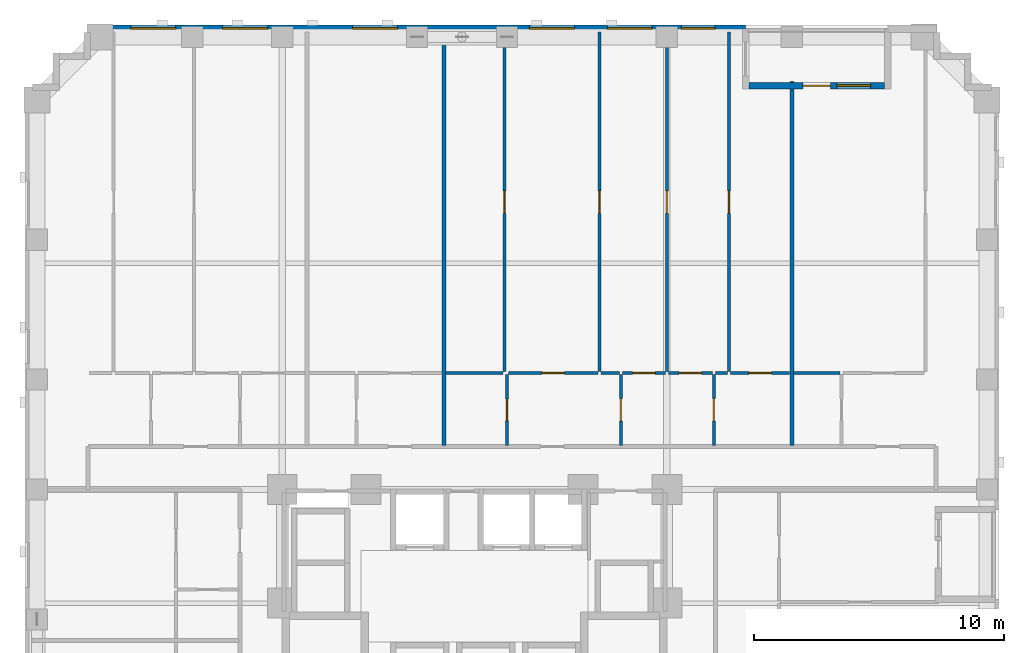
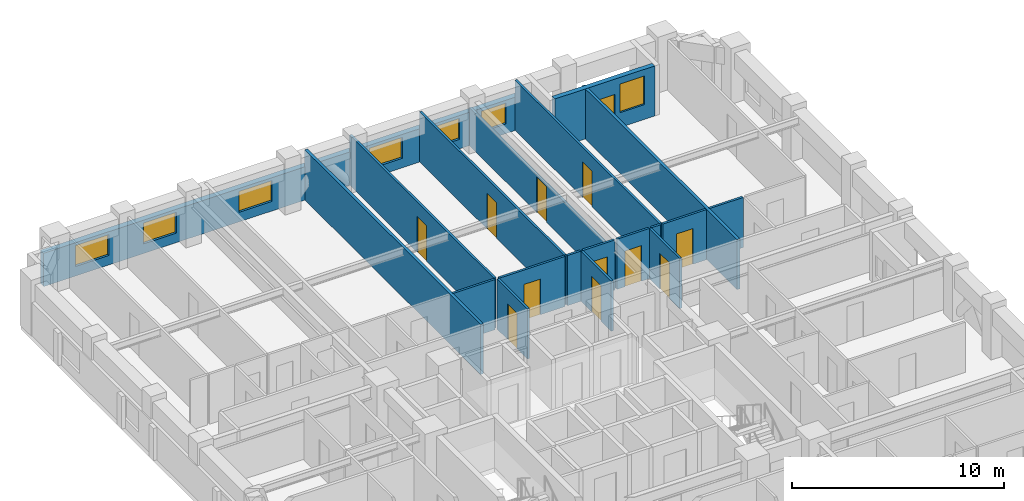
# One storey, part 8 of 14: 19 walls, 12 doors, 7 windows, 19 openings.
"""IFC4 building model written with IfcOpenShell, lengths in metres."""

import ifcopenshell
import ifcopenshell.guid

model = None  # the IFC model being written
_history = None  # IfcOwnerHistory: only IFC2X3 demands one
_inside = {}  # id of a spatial element -> (the spatial element, [elements in it])
_under = {}  # id of a project, library or spatial element -> (it, [spatial elements below it])
_declared = {}  # id of a project -> (the project, [libraries it declares])
_typed = {}  # id of a type object -> (the type object, [elements of that type])
_made_of = {}  # id of a material, layer set ... -> (it, [elements and type objects made of it])


def new_model(schema):
    """Start an empty IFC model of exactly this schema.

    Asked for "IFC4X3", IfcOpenShell would pick the latest addendum, in which some entities
    have other attributes; the version numbers below select the first issue.
    IFC2X3 requires an IfcOwnerHistory on every rooted entity: one is made here for all.
    """
    global model, _history
    if schema == "IFC4X3":
        model = ifcopenshell.file(schema_version=(4, 3, 0, 0))
    else:
        model = ifcopenshell.file(schema=schema)
    _inside.clear()
    _under.clear()
    _declared.clear()
    _typed.clear()
    _made_of.clear()
    _history = None
    if model.schema == "IFC2X3":
        org = make("IfcOrganization", Name="unknown")
        user = make(
            "IfcPersonAndOrganization",
            ThePerson=make("IfcPerson", FamilyName="unknown"),
            TheOrganization=org,
        )
        app = make(
            "IfcApplication",
            ApplicationDeveloper=org,
            Version="unknown",
            ApplicationFullName="unknown",
            ApplicationIdentifier="unknown",
        )
        _history = make(
            "IfcOwnerHistory",
            OwningUser=user,
            OwningApplication=app,
            ChangeAction="ADDED",
            CreationDate=0,
        )
    return model


def make(cls, **values):
    """One entity of the class cls with the attributes given. An attribute that is None is left unset."""
    return model.create_entity(
        cls, **{name: value for name, value in values.items() if value is not None}
    )


def rooted(cls, **values):
    """An entity with a GlobalId (a new one), such as an element, a storey or a relation."""
    return make(cls, GlobalId=ifcopenshell.guid.new(), OwnerHistory=_history, **values)


def si_unit(unit_type, name, prefix=None):
    """IfcSIUnit, for example si_unit("LENGTHUNIT", "METRE", prefix="MILLI")."""
    return make("IfcSIUnit", UnitType=unit_type, Prefix=prefix, Name=name)


def derived_unit(unit_type, elements):
    """IfcDerivedUnit: a product of units, each with its exponent."""
    return make(
        "IfcDerivedUnit",
        Elements=[
            make("IfcDerivedUnitElement", Unit=unit, Exponent=power)
            for unit, power in elements
        ],
        UnitType=unit_type,
    )


def assignment(units):
    """IfcUnitAssignment: the units of a project."""
    return None if units is None else make("IfcUnitAssignment", Units=units)


def point(xyz):
    """IfcCartesianPoint."""
    return None if xyz is None else make("IfcCartesianPoint", Coordinates=xyz)


def direction(xyz):
    """IfcDirection."""
    return None if xyz is None else make("IfcDirection", DirectionRatios=xyz)


def frame(location, z_axis=None, x_axis=None):
    """IfcAxis2Placement3D, a coordinate frame: its origin and axes. An axis left out is left unset."""
    return make(
        "IfcAxis2Placement3D",
        Location=point(location),
        Axis=direction(z_axis),
        RefDirection=direction(x_axis),
    )


def frame_2d(location, x_axis=None):
    """IfcAxis2Placement2D, a coordinate frame in the plane: its origin and x axis."""
    return make(
        "IfcAxis2Placement2D", Location=point(location), RefDirection=direction(x_axis)
    )


def origin():
    """The frame at (0, 0, 0) with its axes left unset."""
    return frame((0.0, 0.0, 0.0))


def place(relative_to, where):
    """IfcLocalPlacement: puts the frame where relative to a parent placement (None: the world)."""
    return make(
        "IfcLocalPlacement", PlacementRelTo=relative_to, RelativePlacement=where
    )


def context(
    kind, dimensions, precision=None, world=None, true_north=None, identifier=None
):
    """IfcGeometricRepresentationContext, for example the 3D "Model" context."""
    return make(
        "IfcGeometricRepresentationContext",
        ContextIdentifier=identifier,
        ContextType=kind,
        CoordinateSpaceDimension=dimensions,
        Precision=precision,
        WorldCoordinateSystem=world,
        TrueNorth=true_north,
    )


def subcontext(parent, identifier, kind, view, scale=None):
    """IfcGeometricRepresentationSubContext, for example "Body" below "Model"."""
    return make(
        "IfcGeometricRepresentationSubContext",
        ContextIdentifier=identifier,
        ContextType=kind,
        ParentContext=parent,
        TargetScale=scale,
        TargetView=view,
    )


def project(units=None, contexts=None):
    """IfcProject with its units and contexts."""
    return rooted(
        "IfcProject",
        Name="project",
        RepresentationContexts=contexts,
        UnitsInContext=assignment(units),
    )


def spatial(cls, under=None, at=None, **own):
    """A site, building, storey or space (cls), placed at a placement, below another one or the project."""
    s = rooted(cls, ObjectPlacement=at, **own)
    if under is not None:
        _under.setdefault(under.id(), (under, []))[1].append(s)
    return s


def profile(cls, at=None, kind="AREA", **sizes):
    """A parametric profile (cls). Its sizes go by their IFC names, for example OverallWidth=200.0."""
    return make(cls, ProfileType=kind, Position=at, **sizes)


def rectangle(**sizes):
    """IfcRectangleProfileDef."""
    return profile("IfcRectangleProfileDef", **sizes)


def extrude(swept, where, along, depth):
    """IfcExtrudedAreaSolid: the profile swept, set in the frame where, extruded along a direction by depth."""
    return make(
        "IfcExtrudedAreaSolid",
        SweptArea=swept,
        Position=where,
        ExtrudedDirection=direction(along),
        Depth=depth,
    )


def shape(context_of_items, identifier, shape_type, items):
    """IfcShapeRepresentation: the items that make up one representation, for example the "Body"."""
    return make(
        "IfcShapeRepresentation",
        ContextOfItems=context_of_items,
        RepresentationIdentifier=identifier,
        RepresentationType=shape_type,
        Items=items,
    )


def material(Name=None, Category=None):
    """IfcMaterial."""
    return make("IfcMaterial", Name=Name, Category=Category)


def layer(
    of_material, thickness, ventilated=None, Name=None, Category=None, Priority=None
):
    """IfcMaterialLayer: one layer of a wall or slab, of a material (None: an air gap)."""
    return make(
        "IfcMaterialLayer",
        Material=of_material,
        LayerThickness=thickness,
        IsVentilated=ventilated,
        Name=Name,
        Category=Category,
        Priority=Priority,
    )


def layer_set(layers, Name=None):
    """IfcMaterialLayerSet."""
    return make("IfcMaterialLayerSet", MaterialLayers=layers, LayerSetName=Name)


def made_of(thing, what):
    """Note that an element or type object is made of a material, layer set ...; save() writes the relation."""
    if what is not None:
        _made_of.setdefault(what.id(), (what, []))[1].append(thing)
    return thing


def type_object(cls, material=None, **own):
    """A type object (cls), such as IfcWallType, which elements share."""
    return made_of(rooted(cls, **own), material)


def element(
    cls,
    number,
    at=None,
    inside=None,
    cuts=None,
    type_object=None,
    material=None,
    context=None,
    identifier="Body",
    shape_type=None,
    held_by="IfcProductDefinitionShape",
    body=None,
    shapes=None,
    **own,
):
    """One element of the class cls, such as IfcWall. Its Tag is "e" and its number.

    at: its placement. inside: the storey or other place that contains it. cuts: it is an
    opening in that element (IfcRelVoidsElement). A single representation is given by context,
    identifier, shape_type and body (its items); several are given by shapes. held_by: the class
    of the entity that holds the representations. save() writes the other relations.
    """
    e = rooted(cls, Tag="e%d" % number, ObjectPlacement=at, **own)
    if body is not None:
        shapes = [shape(context, identifier, shape_type, body)]
    if shapes is not None:
        e.Representation = make(held_by, Representations=shapes)
    if inside is not None:
        _inside.setdefault(inside.id(), (inside, []))[1].append(e)
    if cuts is not None:
        rooted(
            "IfcRelVoidsElement", RelatingBuildingElement=cuts, RelatedOpeningElement=e
        )
    if type_object is not None:
        _typed.setdefault(type_object.id(), (type_object, []))[1].append(e)
    return made_of(e, material)


def fill(opening, filler):
    """IfcRelFillsElement: the door or window that sits in an opening."""
    return rooted(
        "IfcRelFillsElement",
        RelatingOpeningElement=opening,
        RelatedBuildingElement=filler,
    )


def aggregate(whole, parts):
    """IfcRelAggregates: a whole, such as a stair, and the parts it consists of."""
    return rooted("IfcRelAggregates", RelatingObject=whole, RelatedObjects=parts)


def save(model, path):
    """Write the relations noted so far, then the file.

    IfcRelAggregates (storeys below a building ...), IfcRelContainedInSpatialStructure (elements
    in a storey), IfcRelDefinesByType, IfcRelAssociatesMaterial and IfcRelDeclares: one each for
    every whole, place, type object, material and project.
    """
    for whole, parts in _under.values():
        aggregate(whole, parts)
    for where, things in _inside.values():
        rooted(
            "IfcRelContainedInSpatialStructure",
            RelatedElements=things,
            RelatingStructure=where,
        )
    for kind, things in _typed.values():
        rooted("IfcRelDefinesByType", RelatedObjects=things, RelatingType=kind)
    for what, things in _made_of.values():
        rooted("IfcRelAssociatesMaterial", RelatedObjects=things, RelatingMaterial=what)
    for by, libraries in _declared.values():
        rooted("IfcRelDeclares", RelatingContext=by, RelatedDefinitions=libraries)
    model.write(path)


model = new_model("IFC4")

# Units and contexts
model_context = context("Model", 3, precision=1e-05, world=origin(), true_north=direction((0.0, 1.0)))
body_context = subcontext(model_context, "Body", "Model", "MODEL_VIEW")
ifc_project = project(units=[si_unit("LENGTHUNIT", "METRE"), si_unit("AREAUNIT", "SQUARE_METRE"), si_unit("VOLUMEUNIT", "CUBIC_METRE"), si_unit("PLANEANGLEUNIT", "RADIAN"), si_unit("MASSUNIT", "GRAM", prefix="KILO"), derived_unit("THERMALTRANSMITTANCEUNIT", [(si_unit("MASSUNIT", "GRAM", prefix="KILO"), 1), (si_unit("TIMEUNIT", "SECOND"), -3), (si_unit("THERMODYNAMICTEMPERATUREUNIT", "KELVIN"), -1)])], contexts=[model_context])

# Site, building, storey
site_placement = place(None, origin())
site = spatial("IfcSite", under=ifc_project, at=site_placement, CompositionType="ELEMENT")
building_placement = place(site_placement, origin())
building = spatial("IfcBuilding", under=site, at=building_placement, Name="Korrvale Station Residences", CompositionType="ELEMENT")
storey_placement = place(building_placement, frame((0.0, 0.0, 67.39990234375)))
storey = spatial("IfcBuildingStorey", under=building, at=storey_placement, Name="L18", CompositionType="ELEMENT", Elevation=67.39990234375)

# Wall, openings, door, window
ifc_material_1 = material(Name="Precast concrete C45/55", Category="concrete")
ifc_layer_1 = layer(ifc_material_1, 0.260009765625, Name="Precast concrete C45/55")
ifc_layer_set_1 = layer_set([ifc_layer_1], Name="Precast concrete C45/55")
wall_type_1 = type_object("IfcWallType", Name="WAL-EXT-LOG260", PredefinedType="SOLIDWALL", material=ifc_layer_set_1)
wall_1_placement = place(storey_placement, frame((36.48388671875, 45.169921875, 0.0), z_axis=(0.0, 0.0, 1.0), x_axis=(1.0, 0.0, 0.0)))
wall_1 = element("IfcWall", 1, at=wall_1_placement, inside=storey, type_object=wall_type_1, Name="L18 Recessed Loggia Wall BAL-L18-N1-B", PredefinedType="SOLIDWALL", context=body_context, shape_type="SweptSolid", body=[
    extrude(rectangle(XDim=5.43212890625, YDim=0.260009765625, at=frame_2d((2.716064453125, 0.0))), origin(), (0.0, 0.0, 1.0), 2.880126953125),
])
opening_1_placement = place(wall_1_placement, frame((2.166015625, 0.0, 0.0)))
opening_1 = element("IfcOpeningElement", 2, at=opening_1_placement, cuts=wall_1, Name="Opening BD-01", PredefinedType="OPENING", context=body_context, shape_type="SweptSolid", body=[
    extrude(rectangle(XDim=1.10009765625, YDim=2.0, at=frame_2d((0.550048828125, 1.0))), frame((0.0, 0.14013671875, 0.0), z_axis=(0.0, -1.0, 0.0), x_axis=(1.0, 0.0, 0.0)), (0.0, 0.0, 1.0), 0.280029296875),
])
opening_2_placement = place(wall_1_placement, frame((3.52587890625, 0.0, 0.85009765625)))
opening_2 = element("IfcOpeningElement", 3, at=opening_2_placement, cuts=wall_1, Name="Opening W-06", PredefinedType="OPENING", context=body_context, shape_type="SweptSolid", body=[
    extrude(rectangle(XDim=1.35009765625, YDim=1.64990234375, at=frame_2d((0.675048828125, 0.824951171875))), frame((0.0, 0.14013671875, 0.0), z_axis=(0.0, -1.0, 0.0), x_axis=(1.0, 0.0, 0.0)), (0.0, 0.0, 1.0), 0.280029296875),
])
ifc_material_2 = material(Name="Exterior thermally broken aluminium glazed balcony door", Category="aluminium")
door_type_1 = type_object("IfcDoorType", Name="DR-EXT-BAL", OperationType="NOTDEFINED", PredefinedType="DOOR", material=ifc_material_2)
door_1_placement = place(opening_1_placement, origin())
door_1 = element("IfcDoor", 4, at=door_1_placement, inside=storey, type_object=door_type_1, Name="L18 Loggia Balcony Door BAL-L18-N1", OperationType="SINGLE_SWING_LEFT", OverallHeight=2.0, OverallWidth=1.10009765625, PredefinedType="DOOR", context=body_context, shape_type="SweptSolid", body=[
    extrude(rectangle(XDim=1.10009765625, YDim=2.0, at=frame_2d((0.550048828125, 1.0))), frame((0.0, 0.02490234375, 0.0), z_axis=(0.0, -1.0, 0.0), x_axis=(1.0, 0.0, 0.0)), (0.0, 0.0, 1.0), 0.050048828125),
])
fill(opening_1, door_1)
ifc_material_3 = material(Name="Thermally broken aluminium frame with triple low-e glazing", Category="aluminium")
window_type_1 = type_object("IfcWindowType", Name="WIN-W06", PartitioningType="SINGLE_PANEL", PredefinedType="WINDOW", material=ifc_material_3)
window_1_placement = place(opening_2_placement, origin())
window_1 = element("IfcWindow", 5, at=window_1_placement, inside=storey, type_object=window_type_1, Name="L18 Punched Window 22", OverallHeight=1.64990234375, OverallWidth=1.35009765625, PartitioningType="SINGLE_PANEL", PredefinedType="WINDOW", context=body_context, shape_type="SweptSolid", body=[
    extrude(rectangle(XDim=1.35009765625, YDim=1.64990234375, at=frame_2d((0.675048828125, 0.824951171875))), frame((0.0, 0.030029296875, 0.0), z_axis=(0.0, -1.0, 0.0), x_axis=(1.0, 0.0, 0.0)), (0.0, 0.0, 1.0), 0.06005859375),
])
fill(opening_2, window_1)

# Wall, openings, windows
ifc_layer_2 = layer(ifc_material_1, 0.300048828125, Name="Precast concrete C45/55")
ifc_layer_set_2 = layer_set([ifc_layer_2], Name="Precast concrete C45/55")
wall_type_2 = type_object("IfcWallType", Name="WAL-EXT-PC300", PredefinedType="SOLIDWALL", material=ifc_layer_set_2)
wall_2_placement = place(storey_placement, frame((10.0, 47.449951171875, 0.0), z_axis=(0.0, 0.0, 1.0), x_axis=(1.0, 0.0, 0.0)))
wall_2 = element("IfcWall", 6, at=wall_2_placement, inside=storey, type_object=wall_type_2, Name="L18 North Exterior Precast Wall 1", PredefinedType="SOLIDWALL", context=body_context, shape_type="SweptSolid", body=[
    extrude(rectangle(XDim=26.35009765625, YDim=0.300048828125, at=frame_2d((13.175048828125, 0.0))), origin(), (0.0, 0.0, 1.0), 1.9150390625),
])
opening_3_placement = place(wall_2_placement, frame((1.735107421875, 0.0, 0.550048828125)))
opening_3 = element("IfcOpeningElement", 7, at=opening_3_placement, cuts=wall_2, Name="Opening W-09", PredefinedType="OPENING", context=body_context, shape_type="SweptSolid", body=[
    extrude(rectangle(XDim=1.800048828125, YDim=1.199951171875, at=frame_2d((0.89990234375, 0.60009765625))), frame((0.0, 0.16015625, 0.0), z_axis=(0.0, -1.0, 0.0), x_axis=(1.0, 0.0, 0.0)), (0.0, 0.0, 1.0), 0.320068359375),
])
opening_4_placement = place(wall_2_placement, frame((5.4150390625, 0.0, 0.550048828125)))
opening_4 = element("IfcOpeningElement", 8, at=opening_4_placement, cuts=wall_2, Name="Opening W-09", PredefinedType="OPENING", context=body_context, shape_type="SweptSolid", body=[
    extrude(rectangle(XDim=1.800048828125, YDim=1.199951171875, at=frame_2d((0.89990234375, 0.60009765625))), frame((0.0, 0.16015625, 0.0), z_axis=(0.0, -1.0, 0.0), x_axis=(1.0, 0.0, 0.0)), (0.0, 0.0, 1.0), 0.320068359375),
])
opening_5_placement = place(wall_2_placement, frame((10.617919921875, 0.0, 0.550048828125)))
opening_5 = element("IfcOpeningElement", 9, at=opening_5_placement, cuts=wall_2, Name="Opening W-09", PredefinedType="OPENING", context=body_context, shape_type="SweptSolid", body=[
    extrude(rectangle(XDim=1.800048828125, YDim=1.199951171875, at=frame_2d((0.89990234375, 0.60009765625))), frame((0.0, 0.16015625, 0.0), z_axis=(0.0, -1.0, 0.0), x_axis=(1.0, 0.0, 0.0)), (0.0, 0.0, 1.0), 0.320068359375),
])
opening_6_placement = place(wall_2_placement, frame((17.696044921875, 0.0, 0.550048828125)))
opening_6 = element("IfcOpeningElement", 10, at=opening_6_placement, cuts=wall_2, Name="Opening W-09", PredefinedType="OPENING", context=body_context, shape_type="SweptSolid", body=[
    extrude(rectangle(XDim=1.800048828125, YDim=1.199951171875, at=frame_2d((0.89990234375, 0.60009765625))), frame((0.0, 0.16015625, 0.0), z_axis=(0.0, -1.0, 0.0), x_axis=(1.0, 0.0, 0.0)), (0.0, 0.0, 1.0), 0.320068359375),
])
opening_7_placement = place(wall_2_placement, frame((20.81494140625, 0.0, 0.550048828125)))
opening_7 = element("IfcOpeningElement", 11, at=opening_7_placement, cuts=wall_2, Name="Opening W-09", PredefinedType="OPENING", context=body_context, shape_type="SweptSolid", body=[
    extrude(rectangle(XDim=1.800048828125, YDim=1.199951171875, at=frame_2d((0.89990234375, 0.60009765625))), frame((0.0, 0.16015625, 0.0), z_axis=(0.0, -1.0, 0.0), x_axis=(1.0, 0.0, 0.0)), (0.0, 0.0, 1.0), 0.320068359375),
])
opening_8_placement = place(wall_2_placement, frame((23.784912109375, 0.0, 0.550048828125)))
opening_8 = element("IfcOpeningElement", 12, at=opening_8_placement, cuts=wall_2, Name="Opening W-10", PredefinedType="OPENING", context=body_context, shape_type="SweptSolid", body=[
    extrude(rectangle(XDim=1.35009765625, YDim=1.199951171875, at=frame_2d((0.675048828125, 0.60009765625))), frame((0.0, 0.16015625, 0.0), z_axis=(0.0, -1.0, 0.0), x_axis=(1.0, 0.0, 0.0)), (0.0, 0.0, 1.0), 0.320068359375),
])
window_type_2 = type_object("IfcWindowType", Name="WIN-W09", PartitioningType="DOUBLE_PANEL_VERTICAL", PredefinedType="WINDOW", material=ifc_material_3)
window_2_placement = place(opening_3_placement, origin())
window_2 = element("IfcWindow", 13, at=window_2_placement, inside=storey, type_object=window_type_2, Name="L18 Punched Window 15", OverallHeight=1.199951171875, OverallWidth=1.800048828125, PartitioningType="DOUBLE_PANEL_VERTICAL", PredefinedType="WINDOW", context=body_context, shape_type="SweptSolid", body=[
    extrude(rectangle(XDim=1.800048828125, YDim=1.199951171875, at=frame_2d((0.89990234375, 0.60009765625))), frame((0.0, 0.030029296875, 0.0), z_axis=(0.0, -1.0, 0.0), x_axis=(1.0, 0.0, 0.0)), (0.0, 0.0, 1.0), 0.06005859375),
])
fill(opening_3, window_2)
window_3_placement = place(opening_4_placement, origin())
window_3 = element("IfcWindow", 14, at=window_3_placement, inside=storey, type_object=window_type_2, Name="L18 Punched Window 16", OverallHeight=1.199951171875, OverallWidth=1.800048828125, PartitioningType="DOUBLE_PANEL_VERTICAL", PredefinedType="WINDOW", context=body_context, shape_type="SweptSolid", body=[
    extrude(rectangle(XDim=1.800048828125, YDim=1.199951171875, at=frame_2d((0.89990234375, 0.60009765625))), frame((0.0, 0.030029296875, 0.0), z_axis=(0.0, -1.0, 0.0), x_axis=(1.0, 0.0, 0.0)), (0.0, 0.0, 1.0), 0.06005859375),
])
fill(opening_4, window_3)
window_4_placement = place(opening_5_placement, origin())
window_4 = element("IfcWindow", 15, at=window_4_placement, inside=storey, type_object=window_type_2, Name="L18 Punched Window 17", OverallHeight=1.199951171875, OverallWidth=1.800048828125, PartitioningType="DOUBLE_PANEL_VERTICAL", PredefinedType="WINDOW", context=body_context, shape_type="SweptSolid", body=[
    extrude(rectangle(XDim=1.800048828125, YDim=1.199951171875, at=frame_2d((0.89990234375, 0.60009765625))), frame((0.0, 0.030029296875, 0.0), z_axis=(0.0, -1.0, 0.0), x_axis=(1.0, 0.0, 0.0)), (0.0, 0.0, 1.0), 0.06005859375),
])
fill(opening_5, window_4)
window_5_placement = place(opening_6_placement, origin())
window_5 = element("IfcWindow", 16, at=window_5_placement, inside=storey, type_object=window_type_2, Name="L18 Punched Window 18", OverallHeight=1.199951171875, OverallWidth=1.800048828125, PartitioningType="DOUBLE_PANEL_VERTICAL", PredefinedType="WINDOW", context=body_context, shape_type="SweptSolid", body=[
    extrude(rectangle(XDim=1.800048828125, YDim=1.199951171875, at=frame_2d((0.89990234375, 0.60009765625))), frame((0.0, 0.030029296875, 0.0), z_axis=(0.0, -1.0, 0.0), x_axis=(1.0, 0.0, 0.0)), (0.0, 0.0, 1.0), 0.06005859375),
])
fill(opening_6, window_5)
window_6_placement = place(opening_7_placement, origin())
window_6 = element("IfcWindow", 17, at=window_6_placement, inside=storey, type_object=window_type_2, Name="L18 Punched Window 19", OverallHeight=1.199951171875, OverallWidth=1.800048828125, PartitioningType="DOUBLE_PANEL_VERTICAL", PredefinedType="WINDOW", context=body_context, shape_type="SweptSolid", body=[
    extrude(rectangle(XDim=1.800048828125, YDim=1.199951171875, at=frame_2d((0.89990234375, 0.60009765625))), frame((0.0, 0.030029296875, 0.0), z_axis=(0.0, -1.0, 0.0), x_axis=(1.0, 0.0, 0.0)), (0.0, 0.0, 1.0), 0.06005859375),
])
fill(opening_7, window_6)
window_type_3 = type_object("IfcWindowType", Name="WIN-W10", PartitioningType="SINGLE_PANEL", PredefinedType="WINDOW", material=ifc_material_3)
window_7_placement = place(opening_8_placement, origin())
window_7 = element("IfcWindow", 18, at=window_7_placement, inside=storey, type_object=window_type_3, Name="L18 Punched Window 20", OverallHeight=1.199951171875, OverallWidth=1.35009765625, PartitioningType="SINGLE_PANEL", PredefinedType="WINDOW", context=body_context, shape_type="SweptSolid", body=[
    extrude(rectangle(XDim=1.35009765625, YDim=1.199951171875, at=frame_2d((0.675048828125, 0.60009765625))), frame((0.0, 0.030029296875, 0.0), z_axis=(0.0, -1.0, 0.0), x_axis=(1.0, 0.0, 0.0)), (0.0, 0.0, 1.0), 0.06005859375),
])
fill(opening_8, window_7)

# Wall, opening, door
ifc_material_4 = material(Name="Acoustic steel-stud gypsum board partition", Category="steel")
ifc_layer_3 = layer(ifc_material_4, 0.1201171875, Name="Acoustic steel-stud gypsum board partition")
ifc_layer_set_3 = layer_set([ifc_layer_3], Name="Acoustic steel-stud gypsum board partition")
wall_type_3 = type_object("IfcWallType", Name="WAL-PART-125", PredefinedType="PARTITIONING", material=ifc_layer_set_3)
wall_3_placement = place(storey_placement, frame((26.799072265625, 30.760009765625, 0.0), z_axis=(0.0, 0.0, 1.0), x_axis=(0.0, 1.0, 0.0)))
wall_3 = element("IfcWall", 19, at=wall_3_placement, inside=storey, type_object=wall_type_3, Name="L18 Suite Partition U05-V01", PredefinedType="PARTITIONING", context=body_context, shape_type="SweptSolid", body=[
    extrude(rectangle(XDim=2.85009765625, YDim=0.1201171875, at=frame_2d((1.425048828125, 0.0))), origin(), (0.0, 0.0, 1.0), 2.880126953125),
])
opening_9_placement = place(wall_3_placement, frame((0.9951171875, 0.0, 0.0)))
opening_9 = element("IfcOpeningElement", 20, at=opening_9_placement, cuts=wall_3, Name="Opening DB-860", PredefinedType="OPENING", context=body_context, shape_type="SweptSolid", body=[
    extrude(rectangle(XDim=0.860107421875, YDim=2.050048828125, at=frame_2d((0.43017578125, 1.02490234375))), frame((0.0, 0.070068359375, 0.0), z_axis=(0.0, -1.0, 0.0), x_axis=(1.0, 0.0, 0.0)), (0.0, 0.0, 1.0), 0.14013671875),
])
ifc_material_5 = material(Name="Moisture-resistant solid-core bathroom door", Category="timber")
door_type_2 = type_object("IfcDoorType", Name="DR-BATH-860", OperationType="NOTDEFINED", PredefinedType="DOOR", material=ifc_material_5)
door_2_placement = place(opening_9_placement, origin())
door_2 = element("IfcDoor", 21, at=door_2_placement, inside=storey, type_object=door_type_2, Name="L18 Apartment 3BR L18-U05 Bathroom Door", OperationType="SINGLE_SWING_RIGHT", OverallHeight=2.050048828125, OverallWidth=0.860107421875, PredefinedType="DOOR", context=body_context, shape_type="SweptSolid", body=[
    extrude(rectangle(XDim=0.860107421875, YDim=2.050048828125, at=frame_2d((0.43017578125, 1.02490234375))), frame((0.0, 0.02490234375, 0.0), z_axis=(0.0, -1.0, 0.0), x_axis=(1.0, 0.0, 0.0)), (0.0, 0.0, 1.0), 0.050048828125),
])
fill(opening_9, door_2)

# Wall
wall_4_placement = place(storey_placement, frame((24.339111328125, 33.669921875, 0.0), z_axis=(0.0, 0.0, 1.0), x_axis=(1.0, 0.0, 0.0)))
element("IfcWall", 22, at=wall_4_placement, inside=storey, type_object=wall_type_3, Name="L18 Suite Partition U05-H04", PredefinedType="PARTITIONING", context=body_context, shape_type="SweptSolid", body=[
    extrude(rectangle(XDim=2.2998046875, YDim=0.1201171875, at=frame_2d((1.14990234375, 0.0))), origin(), (0.0, 0.0, 1.0), 2.880126953125),
])

# Wall, opening, door
wall_5_placement = place(storey_placement, frame((31.35888671875, 30.760009765625, 0.0), z_axis=(0.0, 0.0, 1.0), x_axis=(0.0, 1.0, 0.0)))
wall_5 = element("IfcWall", 23, at=wall_5_placement, inside=storey, type_object=wall_type_3, Name="L18 Suite Partition U05-V12", PredefinedType="PARTITIONING", context=body_context, shape_type="SweptSolid", body=[
    extrude(rectangle(XDim=2.85009765625, YDim=0.1201171875, at=frame_2d((1.425048828125, 0.0))), origin(), (0.0, 0.0, 1.0), 2.880126953125),
])
opening_10_placement = place(wall_5_placement, frame((0.97509765625, 0.0, 0.0)))
opening_10 = element("IfcOpeningElement", 24, at=opening_10_placement, cuts=wall_5, Name="Opening DI-900", PredefinedType="OPENING", context=body_context, shape_type="SweptSolid", body=[
    extrude(rectangle(XDim=0.89990234375, YDim=2.050048828125, at=frame_2d((0.449951171875, 1.02490234375))), frame((0.0, 0.070068359375, 0.0), z_axis=(0.0, -1.0, 0.0), x_axis=(1.0, 0.0, 0.0)), (0.0, 0.0, 1.0), 0.14013671875),
])
ifc_material_6 = material(Name="Painted solid-core timber interior room door", Category="wood")
door_type_3 = type_object("IfcDoorType", Name="DR-INT-900", OperationType="NOTDEFINED", PredefinedType="DOOR", material=ifc_material_6)
door_3_placement = place(opening_10_placement, origin())
door_3 = element("IfcDoor", 25, at=door_3_placement, inside=storey, type_object=door_type_3, Name="L18 Apartment 3BR L18-U05 Kitchen Door", OperationType="SINGLE_SWING_LEFT", OverallHeight=2.050048828125, OverallWidth=0.89990234375, PredefinedType="DOOR", context=body_context, shape_type="SweptSolid", body=[
    extrude(rectangle(XDim=0.89990234375, YDim=2.050048828125, at=frame_2d((0.449951171875, 1.02490234375))), frame((0.0, 0.02490234375, 0.0), z_axis=(0.0, -1.0, 0.0), x_axis=(1.0, 0.0, 0.0)), (0.0, 0.0, 1.0), 0.050048828125),
])
fill(opening_10, door_3)

wall_6_placement = place(storey_placement, frame((26.85888671875, 33.669921875, 0.0), z_axis=(0.0, 0.0, 1.0), x_axis=(1.0, 0.0, 0.0)))
wall_6 = element("IfcWall", 26, at=wall_6_placement, inside=storey, type_object=wall_type_3, Name="L18 Suite Partition U05-H15", PredefinedType="PARTITIONING", context=body_context, shape_type="SweptSolid", body=[
    extrude(rectangle(XDim=3.580078125, YDim=0.1201171875, at=frame_2d((1.7900390625, 0.0))), origin(), (0.0, 0.0, 1.0), 2.880126953125),
])
opening_11_placement = place(wall_6_placement, frame((1.340087890625, 0.0, 0.0)))
opening_11 = element("IfcOpeningElement", 27, at=opening_11_placement, cuts=wall_6, Name="Opening DI-900", PredefinedType="OPENING", context=body_context, shape_type="SweptSolid", body=[
    extrude(rectangle(XDim=0.89990234375, YDim=2.050048828125, at=frame_2d((0.449951171875, 1.02490234375))), frame((0.0, 0.070068359375, 0.0), z_axis=(0.0, -1.0, 0.0), x_axis=(1.0, 0.0, 0.0)), (0.0, 0.0, 1.0), 0.14013671875),
])
door_4_placement = place(opening_11_placement, origin())
door_4 = element("IfcDoor", 28, at=door_4_placement, inside=storey, type_object=door_type_3, Name="L18 Apartment 3BR L18-U05 Kitchen Door", OperationType="SINGLE_SWING_RIGHT", OverallHeight=2.050048828125, OverallWidth=0.89990234375, PredefinedType="DOOR", context=body_context, shape_type="SweptSolid", body=[
    extrude(rectangle(XDim=0.89990234375, YDim=2.050048828125, at=frame_2d((0.449951171875, 1.02490234375))), frame((0.0, 0.02490234375, 0.0), z_axis=(0.0, -1.0, 0.0), x_axis=(1.0, 0.0, 0.0)), (0.0, 0.0, 1.0), 0.050048828125),
])
fill(opening_11, door_4)

# Wall
wall_7_placement = place(storey_placement, frame((30.55908203125, 33.669921875, 0.0), z_axis=(0.0, 0.0, 1.0), x_axis=(1.0, 0.0, 0.0)))
element("IfcWall", 29, at=wall_7_placement, inside=storey, type_object=wall_type_3, Name="L18 Suite Partition U05-H16", PredefinedType="PARTITIONING", context=body_context, shape_type="SweptSolid", body=[
    extrude(rectangle(XDim=0.739990234375, YDim=0.1201171875, at=frame_2d((0.3701171875, 0.0))), origin(), (0.0, 0.0, 1.0), 2.880126953125),
])

# Wall, opening, door
wall_8_placement = place(storey_placement, frame((35.0791015625, 30.760009765625, 0.0), z_axis=(0.0, 0.0, 1.0), x_axis=(0.0, 1.0, 0.0)))
wall_8 = element("IfcWall", 30, at=wall_8_placement, inside=storey, type_object=wall_type_3, Name="L18 Suite Partition U05-V23", PredefinedType="PARTITIONING", context=body_context, shape_type="SweptSolid", body=[
    extrude(rectangle(XDim=2.85009765625, YDim=0.1201171875, at=frame_2d((1.425048828125, 0.0))), origin(), (0.0, 0.0, 1.0), 2.880126953125),
])
opening_12_placement = place(wall_8_placement, frame((0.97509765625, 0.0, 0.0)))
opening_12 = element("IfcOpeningElement", 31, at=opening_12_placement, cuts=wall_8, Name="Opening DI-900", PredefinedType="OPENING", context=body_context, shape_type="SweptSolid", body=[
    extrude(rectangle(XDim=0.89990234375, YDim=2.050048828125, at=frame_2d((0.449951171875, 1.02490234375))), frame((0.0, 0.070068359375, 0.0), z_axis=(0.0, -1.0, 0.0), x_axis=(1.0, 0.0, 0.0)), (0.0, 0.0, 1.0), 0.14013671875),
])
door_5_placement = place(opening_12_placement, origin())
door_5 = element("IfcDoor", 32, at=door_5_placement, inside=storey, type_object=door_type_3, Name="L18 Apartment 3BR L18-U05 Utility and Laundry Room Door", OperationType="SINGLE_SWING_LEFT", OverallHeight=2.050048828125, OverallWidth=0.89990234375, PredefinedType="DOOR", context=body_context, shape_type="SweptSolid", body=[
    extrude(rectangle(XDim=0.89990234375, YDim=2.050048828125, at=frame_2d((0.449951171875, 1.02490234375))), frame((0.0, 0.02490234375, 0.0), z_axis=(0.0, -1.0, 0.0), x_axis=(1.0, 0.0, 0.0)), (0.0, 0.0, 1.0), 0.050048828125),
])
fill(opening_12, door_5)

wall_9_placement = place(storey_placement, frame((31.4189453125, 33.669921875, 0.0), z_axis=(0.0, 0.0, 1.0), x_axis=(1.0, 0.0, 0.0)))
wall_9 = element("IfcWall", 33, at=wall_9_placement, inside=storey, type_object=wall_type_3, Name="L18 Suite Partition U05-H26", PredefinedType="PARTITIONING", context=body_context, shape_type="SweptSolid", body=[
    extrude(rectangle(XDim=1.720947265625, YDim=0.1201171875, at=frame_2d((0.8603515625, 0.0))), origin(), (0.0, 0.0, 1.0), 2.880126953125),
])
opening_13_placement = place(wall_9_placement, frame((0.410888671875, 0.0, 0.0)))
opening_13 = element("IfcOpeningElement", 34, at=opening_13_placement, cuts=wall_9, Name="Opening DI-900", PredefinedType="OPENING", context=body_context, shape_type="SweptSolid", body=[
    extrude(rectangle(XDim=0.89990234375, YDim=2.050048828125, at=frame_2d((0.449951171875, 1.02490234375))), frame((0.0, 0.070068359375, 0.0), z_axis=(0.0, -1.0, 0.0), x_axis=(1.0, 0.0, 0.0)), (0.0, 0.0, 1.0), 0.14013671875),
])
door_6_placement = place(opening_13_placement, origin())
door_6 = element("IfcDoor", 35, at=door_6_placement, inside=storey, type_object=door_type_3, Name="L18 Apartment 3BR L18-U05 Utility and Laundry Room Door", OperationType="SINGLE_SWING_RIGHT", OverallHeight=2.050048828125, OverallWidth=0.89990234375, PredefinedType="DOOR", context=body_context, shape_type="SweptSolid", body=[
    extrude(rectangle(XDim=0.89990234375, YDim=2.050048828125, at=frame_2d((0.449951171875, 1.02490234375))), frame((0.0, 0.02490234375, 0.0), z_axis=(0.0, -1.0, 0.0), x_axis=(1.0, 0.0, 0.0)), (0.0, 0.0, 1.0), 0.050048828125),
])
fill(opening_13, door_6)

wall_10_placement = place(storey_placement, frame((33.260009765625, 33.669921875, 0.0), z_axis=(0.0, 0.0, 1.0), x_axis=(1.0, 0.0, 0.0)))
wall_10 = element("IfcWall", 36, at=wall_10_placement, inside=storey, type_object=wall_type_3, Name="L18 Suite Partition U05-H27", PredefinedType="PARTITIONING", context=body_context, shape_type="SweptSolid", body=[
    extrude(rectangle(XDim=1.759033203125, YDim=0.1201171875, at=frame_2d((0.87939453125, 0.0))), origin(), (0.0, 0.0, 1.0), 2.880126953125),
])
opening_14_placement = place(wall_10_placement, frame((0.428955078125, 0.0, 0.0)))
opening_14 = element("IfcOpeningElement", 37, at=opening_14_placement, cuts=wall_10, Name="Opening DI-900", PredefinedType="OPENING", context=body_context, shape_type="SweptSolid", body=[
    extrude(rectangle(XDim=0.89990234375, YDim=2.050048828125, at=frame_2d((0.449951171875, 1.02490234375))), frame((0.0, 0.070068359375, 0.0), z_axis=(0.0, -1.0, 0.0), x_axis=(1.0, 0.0, 0.0)), (0.0, 0.0, 1.0), 0.14013671875),
])
door_7_placement = place(opening_14_placement, origin())
door_7 = element("IfcDoor", 38, at=door_7_placement, inside=storey, type_object=door_type_3, Name="L18 Apartment 3BR L18-U05 Utility and Laundry Room Door", OperationType="SINGLE_SWING_LEFT", OverallHeight=2.050048828125, OverallWidth=0.89990234375, PredefinedType="DOOR", context=body_context, shape_type="SweptSolid", body=[
    extrude(rectangle(XDim=0.89990234375, YDim=2.050048828125, at=frame_2d((0.449951171875, 1.02490234375))), frame((0.0, 0.02490234375, 0.0), z_axis=(0.0, -1.0, 0.0), x_axis=(1.0, 0.0, 0.0)), (0.0, 0.0, 1.0), 0.050048828125),
])
fill(opening_14, door_7)

# Wall
wall_11_placement = place(storey_placement, frame((35.138916015625, 33.669921875, 0.0), z_axis=(0.0, 0.0, 1.0), x_axis=(1.0, 0.0, 0.0)))
element("IfcWall", 39, at=wall_11_placement, inside=storey, type_object=wall_type_3, Name="L18 Suite Partition U05-H37", PredefinedType="PARTITIONING", context=body_context, shape_type="SweptSolid", body=[
    extrude(rectangle(XDim=0.490966796875, YDim=0.1201171875, at=frame_2d((0.24560546875, 0.0))), origin(), (0.0, 0.0, 1.0), 2.880126953125),
])

# Wall, opening, door
wall_12_placement = place(storey_placement, frame((35.75, 33.669921875, 0.0), z_axis=(0.0, 0.0, 1.0), x_axis=(1.0, 0.0, 0.0)))
wall_12 = element("IfcWall", 40, at=wall_12_placement, inside=storey, type_object=wall_type_3, Name="L18 Suite Partition U05-H38", PredefinedType="PARTITIONING", context=body_context, shape_type="SweptSolid", body=[
    extrude(rectangle(XDim=2.3701171875, YDim=0.1201171875, at=frame_2d((1.18505859375, 0.0))), origin(), (0.0, 0.0, 1.0), 2.880126953125),
])
opening_15_placement = place(wall_12_placement, frame((0.735107421875, 0.0, 0.0)))
opening_15 = element("IfcOpeningElement", 41, at=opening_15_placement, cuts=wall_12, Name="Opening DI-900", PredefinedType="OPENING", context=body_context, shape_type="SweptSolid", body=[
    extrude(rectangle(XDim=0.89990234375, YDim=2.050048828125, at=frame_2d((0.449951171875, 1.02490234375))), frame((0.0, 0.070068359375, 0.0), z_axis=(0.0, -1.0, 0.0), x_axis=(1.0, 0.0, 0.0)), (0.0, 0.0, 1.0), 0.14013671875),
])
door_8_placement = place(opening_15_placement, origin())
door_8 = element("IfcDoor", 42, at=door_8_placement, inside=storey, type_object=door_type_3, Name="L18 Apartment 3BR L18-U05 Storage Closet 2 Door", OperationType="SINGLE_SWING_RIGHT", OverallHeight=2.050048828125, OverallWidth=0.89990234375, PredefinedType="DOOR", context=body_context, shape_type="SweptSolid", body=[
    extrude(rectangle(XDim=0.89990234375, YDim=2.050048828125, at=frame_2d((0.449951171875, 1.02490234375))), frame((0.0, 0.02490234375, 0.0), z_axis=(0.0, -1.0, 0.0), x_axis=(1.0, 0.0, 0.0)), (0.0, 0.0, 1.0), 0.050048828125),
])
fill(opening_15, door_8)

wall_13_placement = place(storey_placement, frame((26.698974609375, 33.72998046875, 0.0), z_axis=(0.0, 0.0, 1.0), x_axis=(0.0, 1.0, 0.0)))
wall_13 = element("IfcWall", 43, at=wall_13_placement, inside=storey, type_object=wall_type_3, Name="L18 Suite Partition U05-V45", PredefinedType="PARTITIONING", context=body_context, shape_type="SweptSolid", body=[
    extrude(rectangle(XDim=13.590087890625, YDim=0.1201171875, at=frame_2d((6.794921875, 0.0))), origin(), (0.0, 0.0, 1.0), 2.880126953125),
])
opening_16_placement = place(wall_13_placement, frame((6.330078125, 0.0, 0.0)))
opening_16 = element("IfcOpeningElement", 44, at=opening_16_placement, cuts=wall_13, Name="Opening DI-900", PredefinedType="OPENING", context=body_context, shape_type="SweptSolid", body=[
    extrude(rectangle(XDim=0.89990234375, YDim=2.050048828125, at=frame_2d((0.449951171875, 1.02490234375))), frame((0.0, 0.070068359375, 0.0), z_axis=(0.0, -1.0, 0.0), x_axis=(1.0, 0.0, 0.0)), (0.0, 0.0, 1.0), 0.14013671875),
])
door_9_placement = place(opening_16_placement, origin())
door_9 = element("IfcDoor", 45, at=door_9_placement, inside=storey, type_object=door_type_3, Name="L18 Apartment 3BR L18-U05 Wardrobe Storage Room Door", OperationType="SINGLE_SWING_LEFT", OverallHeight=2.050048828125, OverallWidth=0.89990234375, PredefinedType="DOOR", context=body_context, shape_type="SweptSolid", body=[
    extrude(rectangle(XDim=0.89990234375, YDim=2.050048828125, at=frame_2d((0.449951171875, 1.02490234375))), frame((0.0, 0.02490234375, 0.0), z_axis=(0.0, -1.0, 0.0), x_axis=(1.0, 0.0, 0.0)), (0.0, 0.0, 1.0), 0.050048828125),
])
fill(opening_16, door_9)

wall_14_placement = place(storey_placement, frame((30.4990234375, 33.72998046875, 0.0), z_axis=(0.0, 0.0, 1.0), x_axis=(0.0, 1.0, 0.0)))
wall_14 = element("IfcWall", 46, at=wall_14_placement, inside=storey, type_object=wall_type_3, Name="L18 Suite Partition U05-V56", PredefinedType="PARTITIONING", context=body_context, shape_type="SweptSolid", body=[
    extrude(rectangle(XDim=13.590087890625, YDim=0.1201171875, at=frame_2d((6.794921875, 0.0))), origin(), (0.0, 0.0, 1.0), 2.880126953125),
])
opening_17_placement = place(wall_14_placement, frame((6.330078125, 0.0, 0.0)))
opening_17 = element("IfcOpeningElement", 47, at=opening_17_placement, cuts=wall_14, Name="Opening DI-900", PredefinedType="OPENING", context=body_context, shape_type="SweptSolid", body=[
    extrude(rectangle(XDim=0.89990234375, YDim=2.050048828125, at=frame_2d((0.449951171875, 1.02490234375))), frame((0.0, 0.070068359375, 0.0), z_axis=(0.0, -1.0, 0.0), x_axis=(1.0, 0.0, 0.0)), (0.0, 0.0, 1.0), 0.14013671875),
])
door_10_placement = place(opening_17_placement, origin())
door_10 = element("IfcDoor", 48, at=door_10_placement, inside=storey, type_object=door_type_3, Name="L18 Apartment 3BR L18-U05 Living and Dining Room Door", OperationType="SINGLE_SWING_RIGHT", OverallHeight=2.050048828125, OverallWidth=0.89990234375, PredefinedType="DOOR", context=body_context, shape_type="SweptSolid", body=[
    extrude(rectangle(XDim=0.89990234375, YDim=2.050048828125, at=frame_2d((0.449951171875, 1.02490234375))), frame((0.0, 0.02490234375, 0.0), z_axis=(0.0, -1.0, 0.0), x_axis=(1.0, 0.0, 0.0)), (0.0, 0.0, 1.0), 0.050048828125),
])
fill(opening_17, door_10)

wall_15_placement = place(storey_placement, frame((33.199951171875, 33.72998046875, 0.0), z_axis=(0.0, 0.0, 1.0), x_axis=(0.0, 1.0, 0.0)))
wall_15 = element("IfcWall", 49, at=wall_15_placement, inside=storey, type_object=wall_type_3, Name="L18 Suite Partition U05-V67", PredefinedType="PARTITIONING", context=body_context, shape_type="SweptSolid", body=[
    extrude(rectangle(XDim=13.590087890625, YDim=0.1201171875, at=frame_2d((6.794921875, 0.0))), origin(), (0.0, 0.0, 1.0), 2.172119140625),
])
opening_18_placement = place(wall_15_placement, frame((6.330078125, 0.0, 0.0)))
opening_18 = element("IfcOpeningElement", 50, at=opening_18_placement, cuts=wall_15, Name="Opening DI-900", PredefinedType="OPENING", context=body_context, shape_type="SweptSolid", body=[
    extrude(rectangle(XDim=0.89990234375, YDim=2.050048828125, at=frame_2d((0.449951171875, 1.02490234375))), frame((0.0, 0.070068359375, 0.0), z_axis=(0.0, -1.0, 0.0), x_axis=(1.0, 0.0, 0.0)), (0.0, 0.0, 1.0), 0.14013671875),
])
door_11_placement = place(opening_18_placement, origin())
door_11 = element("IfcDoor", 51, at=door_11_placement, inside=storey, type_object=door_type_3, Name="L18 Apartment 3BR L18-U05 Bedroom 1 Door", OperationType="SINGLE_SWING_LEFT", OverallHeight=2.050048828125, OverallWidth=0.89990234375, PredefinedType="DOOR", context=body_context, shape_type="SweptSolid", body=[
    extrude(rectangle(XDim=0.89990234375, YDim=2.050048828125, at=frame_2d((0.449951171875, 1.02490234375))), frame((0.0, 0.02490234375, 0.0), z_axis=(0.0, -1.0, 0.0), x_axis=(1.0, 0.0, 0.0)), (0.0, 0.0, 1.0), 0.050048828125),
])
fill(opening_18, door_11)

wall_16_placement = place(storey_placement, frame((35.68994140625, 33.72998046875, 0.0), z_axis=(0.0, 0.0, 1.0), x_axis=(0.0, 1.0, 0.0)))
wall_16 = element("IfcWall", 52, at=wall_16_placement, inside=storey, type_object=wall_type_3, Name="L18 Suite Partition U05-V78", PredefinedType="PARTITIONING", context=body_context, shape_type="SweptSolid", body=[
    extrude(rectangle(XDim=13.590087890625, YDim=0.1201171875, at=frame_2d((6.794921875, 0.0))), origin(), (0.0, 0.0, 1.0), 2.880126953125),
])
opening_19_placement = place(wall_16_placement, frame((6.330078125, 0.0, 0.0)))
opening_19 = element("IfcOpeningElement", 53, at=opening_19_placement, cuts=wall_16, Name="Opening DI-900", PredefinedType="OPENING", context=body_context, shape_type="SweptSolid", body=[
    extrude(rectangle(XDim=0.89990234375, YDim=2.050048828125, at=frame_2d((0.449951171875, 1.02490234375))), frame((0.0, 0.070068359375, 0.0), z_axis=(0.0, -1.0, 0.0), x_axis=(1.0, 0.0, 0.0)), (0.0, 0.0, 1.0), 0.14013671875),
])
door_12_placement = place(opening_19_placement, origin())
door_12 = element("IfcDoor", 54, at=door_12_placement, inside=storey, type_object=door_type_3, Name="L18 Apartment 3BR L18-U05 Bedroom 2 Door", OperationType="SINGLE_SWING_RIGHT", OverallHeight=2.050048828125, OverallWidth=0.89990234375, PredefinedType="DOOR", context=body_context, shape_type="SweptSolid", body=[
    extrude(rectangle(XDim=0.89990234375, YDim=2.050048828125, at=frame_2d((0.449951171875, 1.02490234375))), frame((0.0, 0.02490234375, 0.0), z_axis=(0.0, -1.0, 0.0), x_axis=(1.0, 0.0, 0.0)), (0.0, 0.0, 1.0), 0.050048828125),
])
fill(opening_19, door_12)

# Walls
wall_17_placement = place(storey_placement, frame((38.280029296875, 33.669921875, 0.0), z_axis=(0.0, 0.0, 1.0), x_axis=(1.0, 0.0, 0.0)))
element("IfcWall", 55, at=wall_17_placement, inside=storey, type_object=wall_type_3, Name="L18 Suite Partition U06-H02", PredefinedType="PARTITIONING", context=body_context, shape_type="SweptSolid", body=[
    extrude(rectangle(XDim=1.849853515625, YDim=0.1201171875, at=frame_2d((0.9248046875, 0.0))), origin(), (0.0, 0.0, 1.0), 2.880126953125),
])
ifc_material_7 = material(Name="Fire-rated twin-stud gypsum and mineral wool shaftwall assembly", Category="gypsum")
ifc_layer_4 = layer(ifc_material_7, 0.159912109375, Name="Fire-rated twin-stud gypsum and mineral wool shaftwall assembly")
ifc_layer_set_4 = layer_set([ifc_layer_4], Name="Fire-rated twin-stud gypsum and mineral wool shaftwall assembly")
wall_type_4 = type_object("IfcWallType", Name="WAL-PART-200", PredefinedType="PARTITIONING", material=ifc_layer_set_4)
wall_18_placement = place(storey_placement, frame((24.279052734375, 30.760009765625, 0.0), z_axis=(0.0, 0.0, 1.0), x_axis=(0.0, 1.0, 0.0)))
element("IfcWall", 56, at=wall_18_placement, inside=storey, type_object=wall_type_4, Name="L18 Demising Wall U05-W", PredefinedType="PARTITIONING", context=body_context, shape_type="SweptSolid", body=[
    extrude(rectangle(XDim=16.56005859375, YDim=0.159912109375, at=frame_2d((8.280029296875, 0.0))), origin(), (0.0, 0.0, 1.0), 2.880126953125),
])
wall_19_placement = place(storey_placement, frame((38.219970703125, 30.760009765625, 0.0), z_axis=(0.0, 0.0, 1.0), x_axis=(0.0, 1.0, 0.0)))
element("IfcWall", 57, at=wall_19_placement, inside=storey, type_object=wall_type_4, Name="L18 Demising Wall U06-W", PredefinedType="PARTITIONING", context=body_context, shape_type="SweptSolid", body=[
    extrude(rectangle(XDim=14.580078125, YDim=0.159912109375, at=frame_2d((7.2900390625, 0.0))), origin(), (0.0, 0.0, 1.0), 2.880126953125),
])

save(model, "model.ifc")
